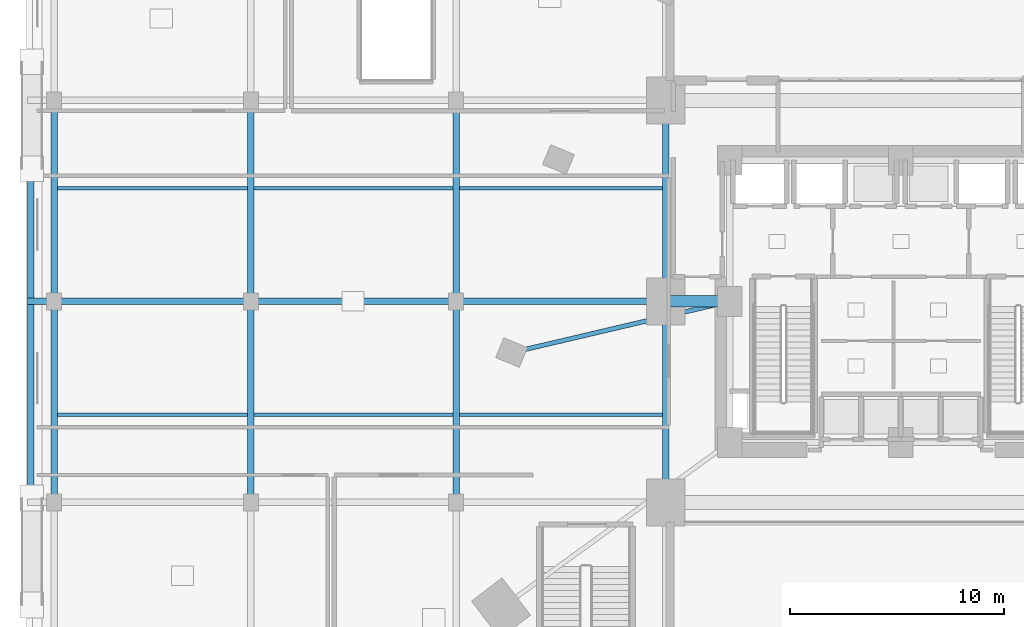
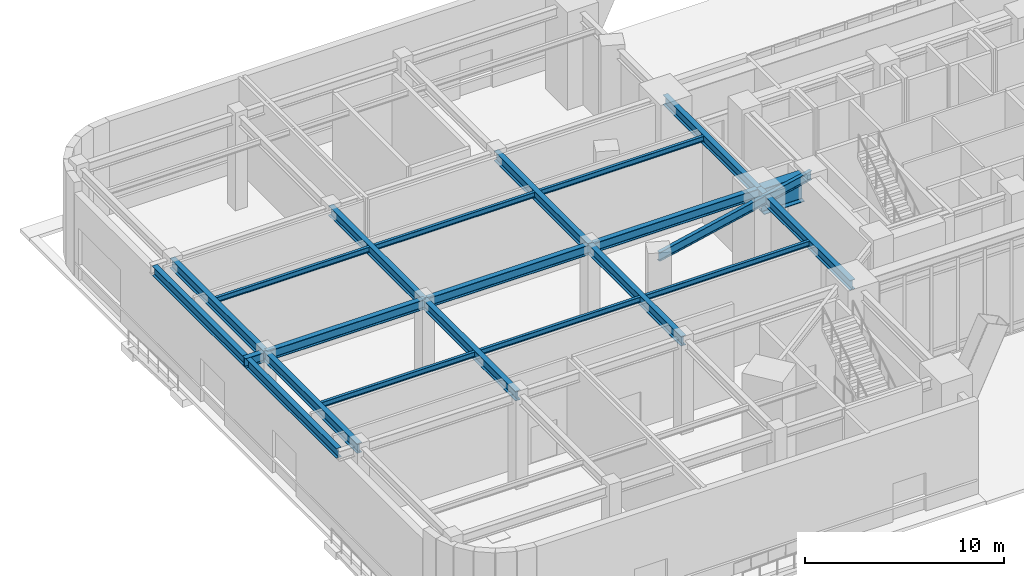
# One storey, part 3 of 27: 22 beams.
"""IFC4 building model written with IfcOpenShell, lengths in metres."""

from ifc_helpers import new_model, si_unit, direction, frame, origin, origin_2d, place, context, subcontext, project, spatial, i_section, extrude, material, material_profile, profile_set, type_object, element, save


model = new_model("IFC4")

# Units and contexts
model_context = context("Model", 3, precision=1e-05, world=origin(), true_north=direction((0.0, 1.0)))
body_context = subcontext(model_context, "Body", "Model", "MODEL_VIEW")
ifc_project = project(units=[si_unit("LENGTHUNIT", "METRE"), si_unit("AREAUNIT", "SQUARE_METRE"), si_unit("VOLUMEUNIT", "CUBIC_METRE"), si_unit("PLANEANGLEUNIT", "RADIAN"), si_unit("MASSUNIT", "GRAM", prefix="KILO")], contexts=[model_context])

# Site, building, storey
site_placement = place(None, origin())
site = spatial("IfcSite", under=ifc_project, at=site_placement, CompositionType="ELEMENT")
building_placement = place(site_placement, origin())
building = spatial("IfcBuilding", under=site, at=building_placement, Name="Ndelora Gate Hotel", CompositionType="ELEMENT")
storey_placement = place(building_placement, origin())
storey = spatial("IfcBuildingStorey", under=building, at=storey_placement, Name="L00", CompositionType="ELEMENT", Elevation=0.0)

# Beams
ifc_material_1 = material(Name="Steel S355", Category="steel")
ifc_material_profile_1 = material_profile(ifc_material_1, i_section(OverallWidth=0.159912109375, OverallDepth=0.330078125, WebThickness=0.007568359375, FlangeThickness=0.011474609375, FilletRadius=0.01806640625, at=origin_2d()), Name="IPE 330")
ifc_profile_set_1 = profile_set([ifc_material_profile_1], Name="Steel S355")
beam_type_1 = type_object("IfcBeamType", Name="BM-JST-330", PredefinedType="JOIST", material=ifc_profile_set_1)
beam_1_placement = place(storey_placement, frame((-39.449951171875, -5.300048828125, 5.554931640625), z_axis=(1.0, 0.0, 0.0), x_axis=(0.0, 1.0, 0.0)))
element("IfcBeam", 1, at=beam_1_placement, inside=storey, type_object=beam_type_1, Name="L00 Podium Composite Secondary Joist 1", PredefinedType="JOIST", context=body_context, shape_type="SweptSolid", body=[
    extrude(i_section(OverallWidth=0.159912109375, OverallDepth=0.330078125, WebThickness=0.007568359375, FlangeThickness=0.011474609375, FilletRadius=0.01806640625, at=origin_2d()), origin(), (0.0, 0.0, 1.0), 8.89990234375),
])
beam_2_placement = place(storey_placement, frame((-30.25, -5.300048828125, 5.554931640625), z_axis=(1.0, 0.0, 0.0), x_axis=(0.0, 1.0, 0.0)))
element("IfcBeam", 2, at=beam_2_placement, inside=storey, type_object=beam_type_1, Name="L00 Podium Composite Secondary Joist 2", PredefinedType="JOIST", context=body_context, shape_type="SweptSolid", body=[
    extrude(i_section(OverallWidth=0.159912109375, OverallDepth=0.330078125, WebThickness=0.007568359375, FlangeThickness=0.011474609375, FilletRadius=0.01806640625, at=origin_2d()), origin(), (0.0, 0.0, 1.0), 9.300048828125),
])
beam_3_placement = place(storey_placement, frame((-20.64990234375, -5.300048828125, 5.554931640625), z_axis=(1.0, 0.0, 0.0), x_axis=(0.0, 1.0, 0.0)))
element("IfcBeam", 3, at=beam_3_placement, inside=storey, type_object=beam_type_1, Name="L00 Podium Composite Secondary Joist 3", PredefinedType="JOIST", context=body_context, shape_type="SweptSolid", body=[
    extrude(i_section(OverallWidth=0.159912109375, OverallDepth=0.330078125, WebThickness=0.007568359375, FlangeThickness=0.011474609375, FilletRadius=0.01806640625, at=origin_2d()), origin(), (0.0, 0.0, 1.0), 9.5),
])
beam_4_placement = place(storey_placement, frame((-39.449951171875, 5.300048828125, 5.554931640625), z_axis=(1.0, 0.0, 0.0), x_axis=(0.0, 1.0, 0.0)))
element("IfcBeam", 4, at=beam_4_placement, inside=storey, type_object=beam_type_1, Name="L00 Podium Composite Secondary Joist 1", PredefinedType="JOIST", context=body_context, shape_type="SweptSolid", body=[
    extrude(i_section(OverallWidth=0.159912109375, OverallDepth=0.330078125, WebThickness=0.007568359375, FlangeThickness=0.011474609375, FilletRadius=0.01806640625, at=origin_2d()), origin(), (0.0, 0.0, 1.0), 8.89990234375),
])
beam_5_placement = place(storey_placement, frame((-30.25, 5.300048828125, 5.554931640625), z_axis=(1.0, 0.0, 0.0), x_axis=(0.0, 1.0, 0.0)))
element("IfcBeam", 5, at=beam_5_placement, inside=storey, type_object=beam_type_1, Name="L00 Podium Composite Secondary Joist 2", PredefinedType="JOIST", context=body_context, shape_type="SweptSolid", body=[
    extrude(i_section(OverallWidth=0.159912109375, OverallDepth=0.330078125, WebThickness=0.007568359375, FlangeThickness=0.011474609375, FilletRadius=0.01806640625, at=origin_2d()), origin(), (0.0, 0.0, 1.0), 9.300048828125),
])
beam_6_placement = place(storey_placement, frame((-20.64990234375, 5.300048828125, 5.554931640625), z_axis=(1.0, 0.0, 0.0), x_axis=(0.0, 1.0, 0.0)))
element("IfcBeam", 6, at=beam_6_placement, inside=storey, type_object=beam_type_1, Name="L00 Podium Composite Secondary Joist 3", PredefinedType="JOIST", context=body_context, shape_type="SweptSolid", body=[
    extrude(i_section(OverallWidth=0.159912109375, OverallDepth=0.330078125, WebThickness=0.007568359375, FlangeThickness=0.011474609375, FilletRadius=0.01806640625, at=origin_2d()), origin(), (0.0, 0.0, 1.0), 9.5),
])
ifc_material_profile_2 = material_profile(ifc_material_1, i_section(OverallWidth=0.300048828125, OverallDepth=0.60009765625, WebThickness=0.015380859375, FlangeThickness=0.030029296875, FilletRadius=0.027099609375, at=origin_2d()), Name="HEB 600")
ifc_profile_set_2 = profile_set([ifc_material_profile_2], Name="Steel S355")
beam_type_2 = type_object("IfcBeamType", Name="BM-POD-600", PredefinedType="BEAM", material=ifc_profile_set_2)
for number, where, z_axis, x_axis, name in (
    (7, (-39.60009765625, -9.39990234375, 5.419921875), (0.0, 1.0, 0.0), (-1.0, 0.0, 0.0), "L00 Podium Longitudinal Girder X=-39.6"),
    (8, (-39.60009765625, 0.0, 5.419921875), (0.0, 1.0, 0.0), (-1.0, 0.0, 0.0), "L00 Podium Longitudinal Girder X=-39.6"),
    (9, (-30.39990234375, -9.39990234375, 5.419921875), (0.0, 1.0, 0.0), (-1.0, 0.0, 0.0), "L00 Podium Longitudinal Girder X=-30.4"),
    (10, (-30.39990234375, 0.0, 5.419921875), (0.0, 1.0, 0.0), (-1.0, 0.0, 0.0), "L00 Podium Longitudinal Girder X=-30.4"),
    (11, (-20.800048828125, -9.39990234375, 5.419921875), (0.0, 1.0, 0.0), (-1.0, 0.0, 0.0), "L00 Podium Longitudinal Girder X=-20.8"),
    (12, (-20.800048828125, 0.0, 5.419921875), (0.0, 1.0, 0.0), (-1.0, 0.0, 0.0), "L00 Podium Longitudinal Girder X=-20.8"),
    (13, (-11.0, -9.39990234375, 5.419921875), (0.0, 1.0, 0.0), (-1.0, 0.0, 0.0), "L00 Podium Longitudinal Girder X=-11.0"),
    (14, (-11.0, 0.0, 5.419921875), (0.0, 1.0, 0.0), (-1.0, 0.0, 0.0), "L00 Podium Longitudinal Girder X=-11.0"),
):
    element("IfcBeam", number, at=place(storey_placement, frame(where, z_axis=z_axis, x_axis=x_axis)), inside=storey, type_object=beam_type_2, Name=name, PredefinedType="BEAM", context=body_context, shape_type="SweptSolid", body=[
        extrude(i_section(OverallWidth=0.300048828125, OverallDepth=0.60009765625, WebThickness=0.015380859375, FlangeThickness=0.030029296875, FilletRadius=0.027099609375, at=origin_2d()), origin(), (0.0, 0.0, 1.0), 9.39990234375),
    ])
beam_7_placement = place(storey_placement, frame((-39.60009765625, 0.0, 5.419921875), z_axis=(1.0, 0.0, 0.0), x_axis=(0.0, 1.0, 0.0)))
element("IfcBeam", 15, at=beam_7_placement, inside=storey, type_object=beam_type_2, Name="L00 Podium Transverse Girder Y=+0.0", PredefinedType="BEAM", context=body_context, shape_type="SweptSolid", body=[
    extrude(i_section(OverallWidth=0.300048828125, OverallDepth=0.60009765625, WebThickness=0.015380859375, FlangeThickness=0.030029296875, FilletRadius=0.027099609375, at=origin_2d()), origin(), (0.0, 0.0, 1.0), 9.2001953125),
])
beam_8_placement = place(storey_placement, frame((-30.39990234375, 0.0, 5.419921875), z_axis=(1.0, 0.0, 0.0), x_axis=(0.0, 1.0, 0.0)))
element("IfcBeam", 16, at=beam_8_placement, inside=storey, type_object=beam_type_2, Name="L00 Podium Transverse Girder Y=+0.0", PredefinedType="BEAM", context=body_context, shape_type="SweptSolid", body=[
    extrude(i_section(OverallWidth=0.300048828125, OverallDepth=0.60009765625, WebThickness=0.015380859375, FlangeThickness=0.030029296875, FilletRadius=0.027099609375, at=origin_2d()), origin(), (0.0, 0.0, 1.0), 9.599853515625),
])
beam_9_placement = place(storey_placement, frame((-20.800048828125, 0.0, 5.419921875), z_axis=(1.0, 0.0, 0.0), x_axis=(0.0, 1.0, 0.0)))
element("IfcBeam", 17, at=beam_9_placement, inside=storey, type_object=beam_type_2, Name="L00 Podium Transverse Girder Y=+0.0", PredefinedType="BEAM", context=body_context, shape_type="SweptSolid", body=[
    extrude(i_section(OverallWidth=0.300048828125, OverallDepth=0.60009765625, WebThickness=0.015380859375, FlangeThickness=0.030029296875, FilletRadius=0.027099609375, at=origin_2d()), origin(), (0.0, 0.0, 1.0), 9.800048828125),
])
beam_10_placement = place(storey_placement, frame((-39.75, 0.0, 5.419921875), z_axis=(-1.0, 0.0, 0.0), x_axis=(0.0, -1.0, 0.0)))
element("IfcBeam", 18, at=beam_10_placement, inside=storey, type_object=beam_type_2, Name="L00 West Porte-Cochere Canopy Outrigger 2", PredefinedType="BEAM", context=body_context, shape_type="SweptSolid", body=[
    extrude(i_section(OverallWidth=0.300048828125, OverallDepth=0.60009765625, WebThickness=0.015380859375, FlangeThickness=0.030029296875, FilletRadius=0.027099609375, at=origin_2d()), origin(), (0.0, 0.0, 1.0), 1.10009765625),
])
for number, where, z_axis, x_axis, name in (
    (19, (-40.699951171875, -9.25, 5.419921875), (0.0, 1.0, 0.0), (-1.0, 0.0, 0.0), "L00 West Porte-Cochere Canopy Edge Header South"),
    (20, (-40.699951171875, 0.14990234375, 5.419921875), (0.0, 1.0, 0.0), (-1.0, 0.0, 0.0), "L00 West Porte-Cochere Canopy Edge Header North"),
):
    element("IfcBeam", number, at=place(storey_placement, frame(where, z_axis=z_axis, x_axis=x_axis)), inside=storey, type_object=beam_type_2, Name=name, PredefinedType="BEAM", context=body_context, shape_type="SweptSolid", body=[
        extrude(i_section(OverallWidth=0.300048828125, OverallDepth=0.60009765625, WebThickness=0.015380859375, FlangeThickness=0.030029296875, FilletRadius=0.027099609375, at=origin_2d()), origin(), (0.0, 0.0, 1.0), 9.10009765625),
    ])
ifc_material_profile_3 = material_profile(ifc_material_1, i_section(OverallWidth=0.2099609375, OverallDepth=0.550048828125, WebThickness=0.010986328125, FlangeThickness=0.01708984375, FilletRadius=0.02392578125, at=origin_2d()), Name="IPE 550")
ifc_profile_set_3 = profile_set([ifc_material_profile_3], Name="Steel S355")
beam_type_3 = type_object("IfcBeamType", Name="BM-RAD-550", PredefinedType="BEAM", material=ifc_profile_set_3)
beam_11_placement = place(storey_placement, frame((-8.0, 0.0, 5.445068359375), z_axis=(-0.973517848051, -0.22861102232, 0.0), x_axis=(0.22861102232, -0.973517848051, 0.0)))
element("IfcBeam", 21, at=beam_11_placement, inside=storey, type_object=beam_type_3, Name="L00 Tower Root Radial Tie Beam 4", PredefinedType="BEAM", context=body_context, shape_type="SweptSolid", body=[
    extrude(i_section(OverallWidth=0.2099609375, OverallDepth=0.550048828125, WebThickness=0.010986328125, FlangeThickness=0.01708984375, FilletRadius=0.02392578125, at=origin_2d()), origin(), (0.0, 0.0, 1.0), 10.48486328125),
])
ifc_material_2 = material(Name="Steel S460", Category="steel")
ifc_material_profile_4 = material_profile(ifc_material_2, i_section(OverallWidth=0.550048828125, OverallDepth=1.60009765625, WebThickness=0.02587890625, FlangeThickness=0.0380859375, FilletRadius=0.02392578125, at=origin_2d()), Name="PG 1600x550x38")
ifc_profile_set_4 = profile_set([ifc_material_profile_4], Name="Steel S460")
beam_type_4 = type_object("IfcBeamType", Name="BM-TR-1600", PredefinedType="BEAM", material=ifc_profile_set_4)
beam_12_placement = place(storey_placement, frame((-10.85009765625, 0.0, 4.919921875), z_axis=(1.0, 0.0, 0.0), x_axis=(0.0, 1.0, 0.0)))
element("IfcBeam", 22, at=beam_12_placement, inside=storey, type_object=beam_type_4, Name="L00 structural beam TG-2", PredefinedType="BEAM", context=body_context, shape_type="SweptSolid", body=[
    extrude(i_section(OverallWidth=0.550048828125, OverallDepth=1.60009765625, WebThickness=0.02587890625, FlangeThickness=0.0380859375, FilletRadius=0.02392578125, at=origin_2d()), origin(), (0.0, 0.0, 1.0), 2.35009765625),
])

save(model, "model.ifc")
